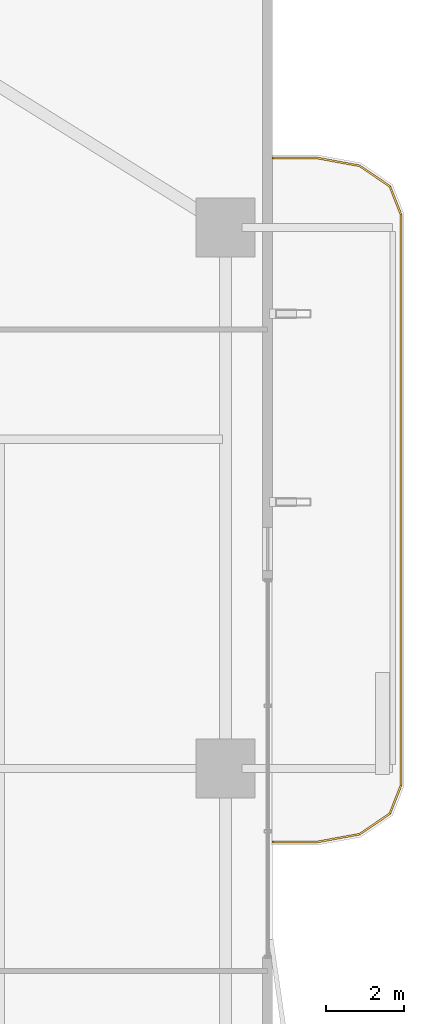
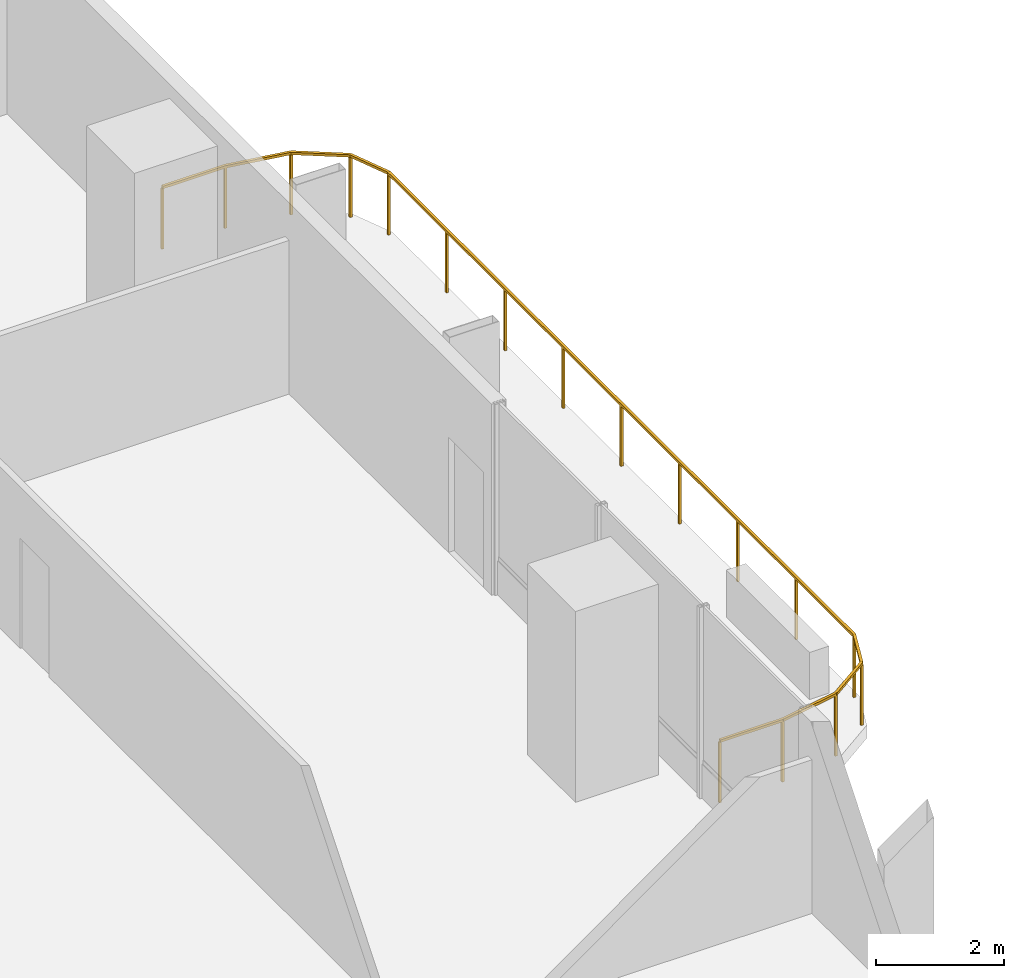
# One storey, part 24 of 24: 1 railing.
"""IFC4 building model written with IfcOpenShell, lengths in metres."""

from ifc_helpers import new_model, si_unit, direction, frame, origin, origin_2d, place, context, subcontext, project, spatial, rectangle, extrude, material, type_object, element, save


model = new_model("IFC4")

# Units and contexts
model_context = context("Model", 3, precision=1e-05, world=origin(), true_north=direction((0.0, 1.0)))
body_context = subcontext(model_context, "Body", "Model", "MODEL_VIEW")
ifc_project = project(units=[si_unit("LENGTHUNIT", "METRE"), si_unit("AREAUNIT", "SQUARE_METRE"), si_unit("VOLUMEUNIT", "CUBIC_METRE"), si_unit("PLANEANGLEUNIT", "RADIAN"), si_unit("MASSUNIT", "GRAM", prefix="KILO")], contexts=[model_context])

# Site, building, storey
site_placement = place(None, origin())
site = spatial("IfcSite", under=ifc_project, at=site_placement, CompositionType="ELEMENT")
building_placement = place(site_placement, origin())
building = spatial("IfcBuilding", under=site, at=building_placement, Name="Belovzor Exchange Tower", CompositionType="ELEMENT")
storey_placement = place(building_placement, frame((0.0, 0.0, 96.300048828125)))
storey = spatial("IfcBuildingStorey", under=building, at=storey_placement, Name="L23", CompositionType="ELEMENT", Elevation=96.300048828125)

# Railing
ifc_material = material(Name="Stainless Steel and Laminated Safety Glass", Category="steel")
railing_type = type_object("IfcRailingType", Name="Laminated Glass & Stainless Steel Balcony Balustrade 1200", PredefinedType="BALUSTRADE", material=ifc_material)
railing_placement = place(storey_placement, frame((56.7099609375, 26.929931640625, 0.0)))
element("IfcRailing", 1, at=railing_placement, inside=storey, type_object=railing_type, Name="GR-1 Balcony Balustrade L23 East", PredefinedType="BALUSTRADE", context=body_context, shape_type="SweptSolid", body=[
    extrude(rectangle(XDim=0.048095703125, YDim=0.048095703125, at=origin_2d()), frame((0.0, 0.0, 1.17578125), z_axis=(1.0, 0.0, 0.0), x_axis=(0.0, 1.0, 0.0)), (0.0, 0.0, 1.0), 1.133056640625),
    extrude(rectangle(XDim=0.048095703125, YDim=0.048095703125, at=origin_2d()), frame((1.133056640625, 0.0, 1.17578125), z_axis=(0.983644145941, 0.180122719713, 0.0), x_axis=(-0.180122719713, 0.983644145941, 0.0)), (0.0, 0.0, 1.0), 1.09375),
    extrude(rectangle(XDim=0.048095703125, YDim=0.048095703125, at=origin_2d()), frame((2.208984375, 0.197021484375, 1.17578125), z_axis=(0.826493025367, 0.56294695933, 0.0), x_axis=(-0.56294695933, 0.826493025367, 0.0)), (0.0, 0.0, 1.0), 0.932861328125),
    extrude(rectangle(XDim=0.048095703125, YDim=0.048095703125, at=origin_2d()), frame((2.97998046875, 0.72216796875, 1.17578125), z_axis=(0.365612923861, 0.930766990125, 0.0), x_axis=(-0.930766990125, 0.365612923861, 0.0)), (0.0, 0.0, 1.0), 0.765869140625),
    extrude(rectangle(XDim=0.048095703125, YDim=0.048095703125, at=origin_2d()), frame((3.260009765625, 1.43505859375, 1.17578125), z_axis=(0.0, 1.0, 0.0), x_axis=(-1.0, 0.0, 0.0)), (0.0, 0.0, 1.0), 14.570068359375),
    extrude(rectangle(XDim=0.048095703125, YDim=0.048095703125, at=origin_2d()), frame((3.260009765625, 16.005126953125, 1.17578125), z_axis=(-0.365612923861, 0.930766990125, 0.0), x_axis=(-0.930766990125, -0.365612923861, 0.0)), (0.0, 0.0, 1.0), 0.765869140625),
    extrude(rectangle(XDim=0.048095703125, YDim=0.048095703125, at=origin_2d()), frame((2.97998046875, 16.718017578125, 1.17578125), z_axis=(-0.826493025367, 0.56294695933, 0.0), x_axis=(-0.56294695933, -0.826493025367, 0.0)), (0.0, 0.0, 1.0), 0.932861328125),
    extrude(rectangle(XDim=0.048095703125, YDim=0.048095703125, at=origin_2d()), frame((2.208984375, 17.2431640625, 1.17578125), z_axis=(-0.983644145941, 0.180122719713, 0.0), x_axis=(-0.180122719713, -0.983644145941, 0.0)), (0.0, 0.0, 1.0), 1.09375),
    extrude(rectangle(XDim=0.048095703125, YDim=0.048095703125, at=origin_2d()), frame((1.133056640625, 17.440185546875, 1.17578125), z_axis=(-1.0, 0.0, 0.0), x_axis=(0.0, -1.0, 0.0)), (0.0, 0.0, 1.0), 1.133056640625),
    extrude(rectangle(XDim=0.0419921875, YDim=0.0419921875, at=origin_2d()), origin(), (0.0, 0.0, 1.0), 1.15185546875),
    extrude(rectangle(XDim=0.0419921875, YDim=0.0419921875, at=origin_2d()), frame((1.133056640625, 0.0, 0.0)), (0.0, 0.0, 1.0), 1.15185546875),
    extrude(rectangle(XDim=0.0419921875, YDim=0.0419921875, at=origin_2d()), frame((2.208984375, 0.197021484375, 0.0)), (0.0, 0.0, 1.0), 1.15185546875),
    extrude(rectangle(XDim=0.0419921875, YDim=0.0419921875, at=origin_2d()), frame((2.97998046875, 0.72216796875, 0.0)), (0.0, 0.0, 1.0), 1.15185546875),
    extrude(rectangle(XDim=0.0419921875, YDim=0.0419921875, at=origin_2d()), frame((3.260009765625, 1.43505859375, 0.0)), (0.0, 0.0, 1.0), 1.15185546875),
    extrude(rectangle(XDim=0.0419921875, YDim=0.0419921875, at=origin_2d()), frame((3.260009765625, 3.25634765625, 0.0)), (0.0, 0.0, 1.0), 1.15185546875),
    extrude(rectangle(XDim=0.0419921875, YDim=0.0419921875, at=origin_2d()), frame((3.260009765625, 5.07763671875, 0.0)), (0.0, 0.0, 1.0), 1.15185546875),
    extrude(rectangle(XDim=0.0419921875, YDim=0.0419921875, at=origin_2d()), frame((3.260009765625, 6.89892578125, 0.0)), (0.0, 0.0, 1.0), 1.15185546875),
    extrude(rectangle(XDim=0.0419921875, YDim=0.0419921875, at=origin_2d()), frame((3.260009765625, 8.72021484375, 0.0)), (0.0, 0.0, 1.0), 1.15185546875),
    extrude(rectangle(XDim=0.0419921875, YDim=0.0419921875, at=origin_2d()), frame((3.260009765625, 10.541259765625, 0.0)), (0.0, 0.0, 1.0), 1.15185546875),
    extrude(rectangle(XDim=0.0419921875, YDim=0.0419921875, at=origin_2d()), frame((3.260009765625, 12.362548828125, 0.0)), (0.0, 0.0, 1.0), 1.15185546875),
    extrude(rectangle(XDim=0.0419921875, YDim=0.0419921875, at=origin_2d()), frame((3.260009765625, 14.183837890625, 0.0)), (0.0, 0.0, 1.0), 1.15185546875),
    extrude(rectangle(XDim=0.0419921875, YDim=0.0419921875, at=origin_2d()), frame((3.260009765625, 16.005126953125, 0.0)), (0.0, 0.0, 1.0), 1.15185546875),
    extrude(rectangle(XDim=0.0419921875, YDim=0.0419921875, at=origin_2d()), frame((2.97998046875, 16.718017578125, 0.0)), (0.0, 0.0, 1.0), 1.15185546875),
    extrude(rectangle(XDim=0.0419921875, YDim=0.0419921875, at=origin_2d()), frame((2.208984375, 17.2431640625, 0.0)), (0.0, 0.0, 1.0), 1.15185546875),
    extrude(rectangle(XDim=0.0419921875, YDim=0.0419921875, at=origin_2d()), frame((1.133056640625, 17.440185546875, 0.0)), (0.0, 0.0, 1.0), 1.15185546875),
    extrude(rectangle(XDim=0.0419921875, YDim=0.0419921875, at=origin_2d()), frame((0.0, 17.440185546875, 0.0)), (0.0, 0.0, 1.0), 1.15185546875),
])

save(model, "model.ifc")
